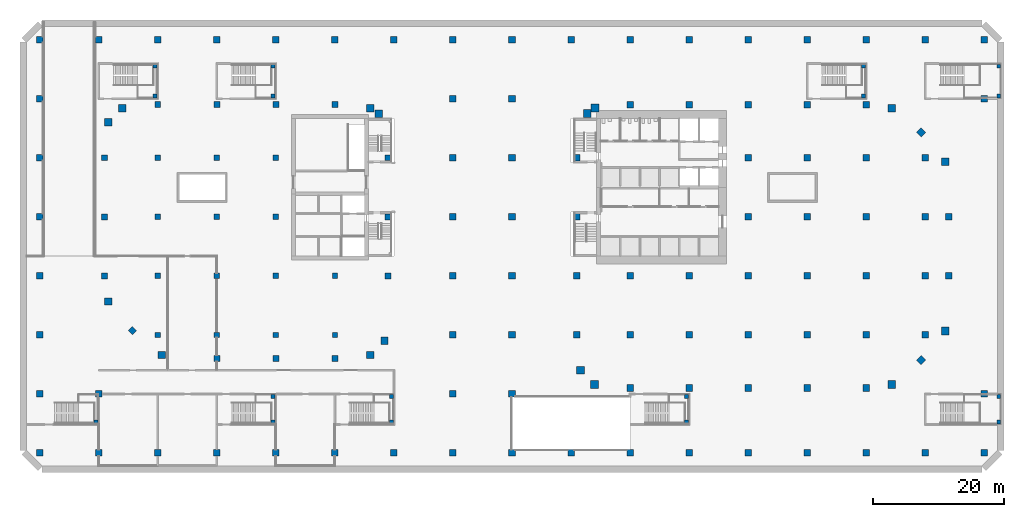
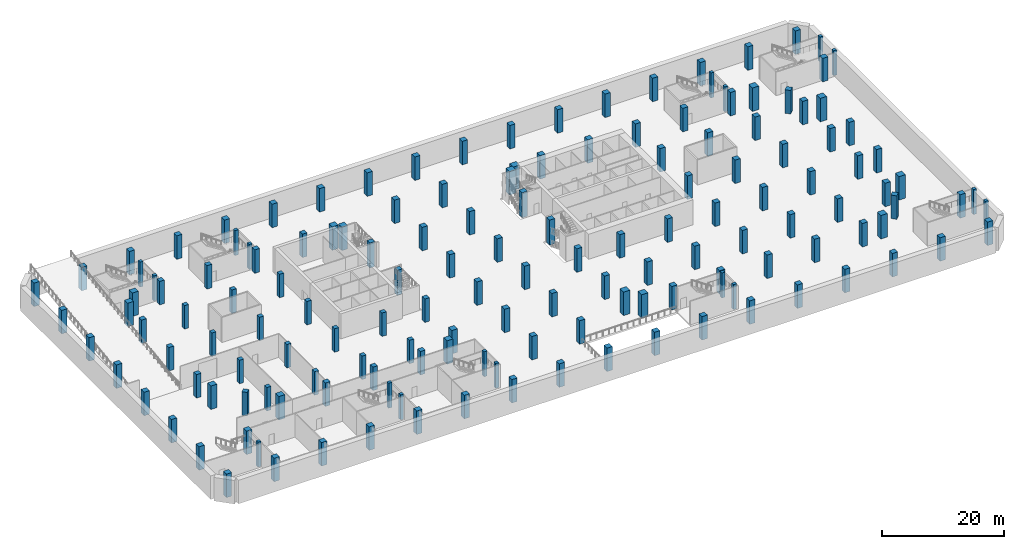
# One storey, part 1 of 19: 154 columns.
"""IFC4 building model written with IfcOpenShell, lengths in metres."""

from ifc_helpers import new_model, si_unit, direction, frame, origin, origin_2d, place, context, subcontext, project, spatial, rectangle, extrude, material, material_profile, profile_set, type_object, element, save


model = new_model("IFC4")

# Units and contexts
model_context = context("Model", 3, precision=1e-05, world=origin(), true_north=direction((0.0, 1.0)))
body_context = subcontext(model_context, "Body", "Model", "MODEL_VIEW")
ifc_project = project(units=[si_unit("LENGTHUNIT", "METRE"), si_unit("AREAUNIT", "SQUARE_METRE"), si_unit("VOLUMEUNIT", "CUBIC_METRE"), si_unit("PLANEANGLEUNIT", "RADIAN"), si_unit("MASSUNIT", "GRAM", prefix="KILO")], contexts=[model_context])

# Site, building, storey
site_placement = place(None, origin())
site = spatial("IfcSite", under=ifc_project, at=site_placement, CompositionType="ELEMENT")
building_placement = place(site_placement, origin())
building = spatial("IfcBuilding", under=site, at=building_placement, Name="Cinnabar Reach Civic Tower", CompositionType="ELEMENT")
storey_placement = place(building_placement, frame((0.0, 0.0, -5.0)))
storey = spatial("IfcBuildingStorey", under=building, at=storey_placement, Name="B1", CompositionType="ELEMENT", Elevation=-5.0)

# Columns
ifc_material_1 = material(Name="Concrete C70", Category="concrete")
ifc_material_profile_1 = material_profile(ifc_material_1, rectangle(XDim=1.0, YDim=1.0, at=origin_2d()), Name="RC1000")
ifc_profile_set_1 = profile_set([ifc_material_profile_1], Name="Concrete C70")
column_type_1 = type_object("IfcColumnType", Name="RC1000 column R 240", PredefinedType="COLUMN", material=ifc_profile_set_1)
for number, where, z_axis, x_axis, name in (
    (1, (9.0, 0.9, 0.0), (0.0, 0.0, 1.0), (1.0, 0.0, 0.0), "Column T1-Z1-F0-1"),
    (2, (18.0, 0.9, 0.0), (0.0, 0.0, 1.0), (1.0, 0.0, 0.0), "Column T1-Z1-F0-2"),
    (3, (27.0, 0.9, 0.0), (0.0, 0.0, 1.0), (1.0, 0.0, 0.0), "Column T1-Z1-F0-3"),
    (4, (36.0, 0.9, 0.0), (0.0, 0.0, 1.0), (1.0, 0.0, 0.0), "Column T1-Z1-F0-4"),
    (5, (45.0, 0.9, 0.0), (0.0, 0.0, 1.0), (1.0, 0.0, 0.0), "Column T1-Z1-F0-5"),
    (6, (53.3636, 5.1364, 0.0), (0.0, 0.0, 1.0), (0.707106781187, 0.707106781187, 0.0), "Column T1-Z1-F1-M"),
    (7, (57.6, 18.0, 0.0), (0.0, 0.0, 1.0), (1.0, 0.0, 0.0), "Column T1-Z1-F2-2"),
    (8, (57.6, 27.0, 0.0), (0.0, 0.0, 1.0), (1.0, 0.0, 0.0), "Column T1-Z1-F2-3"),
    (9, (53.3636, 39.8636, 0.0), (0.0, 0.0, 1.0), (0.707106781187, 0.707106781187, 0.0), "Column T1-Z1-F3-M"),
    (10, (9.0, 44.1, 0.0), (0.0, 0.0, 1.0), (1.0, 0.0, 0.0), "Column T1-Z1-F4-1"),
    (11, (18.0, 44.1, 0.0), (0.0, 0.0, 1.0), (1.0, 0.0, 0.0), "Column T1-Z1-F4-2"),
    (12, (27.0, 44.1, 0.0), (0.0, 0.0, 1.0), (1.0, 0.0, 0.0), "Column T1-Z1-F4-3"),
    (13, (36.0, 44.1, 0.0), (0.0, 0.0, 1.0), (1.0, 0.0, 0.0), "Column T1-Z1-F4-4"),
    (14, (45.0, 44.1, 0.0), (0.0, 0.0, 1.0), (1.0, 0.0, 0.0), "Column T1-Z1-F4-5"),
    (15, (0.9, 9.0, 0.0), (0.0, 0.0, 1.0), (1.0, 0.0, 0.0), "Column T1-Z1-F6-1"),
    (16, (0.9, 18.0, 0.0), (0.0, 0.0, 1.0), (1.0, 0.0, 0.0), "Column T1-Z1-F6-2"),
):
    element("IfcColumn", number, at=place(storey_placement, frame(where, z_axis=z_axis, x_axis=x_axis)), inside=storey, type_object=column_type_1, Name=name, PredefinedType="COLUMN", context=body_context, shape_type="SweptSolid", body=[
        extrude(rectangle(XDim=1.0, YDim=1.0, at=origin_2d()), origin(), (0.0, 0.0, 1.0), 4.7),
    ])
for number, where, z_axis, x_axis, name in (
    (17, (0.9, 27.0, 0.0), (0.0, 0.0, 1.0), (1.0, 0.0, 0.0), "Column T1-Z1-F6-3"),
    (18, (0.9, 36.0, 0.0), (0.0, 0.0, 1.0), (1.0, 0.0, 0.0), "Column T1-Z1-F6-4"),
):
    element("IfcColumn", number, at=place(storey_placement, frame(where, z_axis=z_axis, x_axis=x_axis)), inside=storey, type_object=column_type_1, Name=name, PredefinedType="COLUMN", context=body_context, shape_type="SweptSolid", body=[
        extrude(rectangle(XDim=1.0, YDim=1.0, at=origin_2d()), origin(), (0.0, 0.0, 1.0), 5.0),
    ])
for number, where, z_axis, x_axis, name in (
    (19, (9.0, 9.0, 0.0), (0.0, 0.0, 1.0), (1.0, 0.0, 0.0), "Column T1-Z1-I9_9"),
    (20, (9.0, 18.0, 0.0), (0.0, 0.0, 1.0), (1.0, 0.0, 0.0), "Column T1-Z1-I9_18"),
    (21, (18.0, 9.0, 0.0), (0.0, 0.0, 1.0), (1.0, 0.0, 0.0), "Column T1-Z1-I18_9"),
    (22, (18.0, 18.0, 0.0), (0.0, 0.0, 1.0), (1.0, 0.0, 0.0), "Column T1-Z1-I18_18"),
    (23, (27.0, 9.0, 0.0), (0.0, 0.0, 1.0), (1.0, 0.0, 0.0), "Column T1-Z1-I27_9"),
    (24, (27.0, 18.0, 0.0), (0.0, 0.0, 1.0), (1.0, 0.0, 0.0), "Column T1-Z1-I27_18"),
    (25, (27.0, 27.0, 0.0), (0.0, 0.0, 1.0), (1.0, 0.0, 0.0), "Column T1-Z1-I27_27"),
    (26, (27.0, 36.0, 0.0), (0.0, 0.0, 1.0), (1.0, 0.0, 0.0), "Column T1-Z1-I27_36"),
    (27, (36.0, 9.0, 0.0), (0.0, 0.0, 1.0), (1.0, 0.0, 0.0), "Column T1-Z1-I36_9"),
    (28, (36.0, 18.0, 0.0), (0.0, 0.0, 1.0), (1.0, 0.0, 0.0), "Column T1-Z1-I36_18"),
    (29, (36.0, 27.0, 0.0), (0.0, 0.0, 1.0), (1.0, 0.0, 0.0), "Column T1-Z1-I36_27"),
    (30, (36.0, 36.0, 0.0), (0.0, 0.0, 1.0), (1.0, 0.0, 0.0), "Column T1-Z1-I36_36"),
    (31, (45.0, 9.0, 0.0), (0.0, 0.0, 1.0), (1.0, 0.0, 0.0), "Column T1-Z1-I45_9"),
    (32, (45.0, 18.0, 0.0), (0.0, 0.0, 1.0), (1.0, 0.0, 0.0), "Column T1-Z1-I45_18"),
    (33, (45.0, 27.0, 0.0), (0.0, 0.0, 1.0), (1.0, 0.0, 0.0), "Column T1-Z1-I45_27"),
    (34, (45.0, 36.0, 0.0), (0.0, 0.0, 1.0), (1.0, 0.0, 0.0), "Column T1-Z1-I45_36"),
    (35, (54.0, 9.0, 0.0), (0.0, 0.0, 1.0), (1.0, 0.0, 0.0), "Column T1-Z1-I54_9"),
    (36, (54.0, 18.0, 0.0), (0.0, 0.0, 1.0), (1.0, 0.0, 0.0), "Column T1-Z1-I54_18"),
    (37, (54.0, 27.0, 0.0), (0.0, 0.0, 1.0), (1.0, 0.0, 0.0), "Column T1-Z1-I54_27"),
    (38, (54.0, 36.0, 0.0), (0.0, 0.0, 1.0), (1.0, 0.0, 0.0), "Column T1-Z1-I54_36"),
    (39, (-81.0, -9.0, 0.0), (0.0, 0.0, 1.0), (1.0, 0.0, 0.0), "Column -81/-9 B1"),
    (40, (-81.0, 0.0, 0.0), (0.0, 0.0, 1.0), (1.0, 0.0, 0.0), "Column -81/0 B1"),
    (41, (-81.0, 9.0, 0.0), (0.0, 0.0, 1.0), (1.0, 0.0, 0.0), "Column -81/9 B1"),
    (42, (-81.0, 18.0, 0.0), (0.0, 0.0, 1.0), (1.0, 0.0, 0.0), "Column -81/18 B1"),
    (43, (-81.0, 27.0, 0.0), (0.0, 0.0, 1.0), (1.0, 0.0, 0.0), "Column -81/27 B1"),
    (44, (-81.0, 36.0, 0.0), (0.0, 0.0, 1.0), (1.0, 0.0, 0.0), "Column -81/36 B1"),
    (45, (-81.0, 45.0, 0.0), (0.0, 0.0, 1.0), (1.0, 0.0, 0.0), "Column -81/45 B1"),
    (46, (-81.0, 54.0, 0.0), (0.0, 0.0, 1.0), (1.0, 0.0, 0.0), "Column -81/54 B1"),
    (47, (-72.0, -9.0, 0.0), (0.0, 0.0, 1.0), (1.0, 0.0, 0.0), "Column -72/-9 B1"),
    (48, (-72.0, 0.0, 0.0), (0.0, 0.0, 1.0), (1.0, 0.0, 0.0), "Column -72/0 B1"),
    (49, (-72.0, 54.0, 0.0), (0.0, 0.0, 1.0), (1.0, 0.0, 0.0), "Column -72/54 B1"),
    (50, (-63.0, -9.0, 0.0), (0.0, 0.0, 1.0), (1.0, 0.0, 0.0), "Column -63/-9 B1"),
    (51, (-63.0, 54.0, 0.0), (0.0, 0.0, 1.0), (1.0, 0.0, 0.0), "Column -63/54 B1"),
    (52, (-54.0, -9.0, 0.0), (0.0, 0.0, 1.0), (1.0, 0.0, 0.0), "Column -54/-9 B1"),
    (53, (-54.0, 54.0, 0.0), (0.0, 0.0, 1.0), (1.0, 0.0, 0.0), "Column -54/54 B1"),
    (54, (-45.0, -9.0, 0.0), (0.0, 0.0, 1.0), (1.0, 0.0, 0.0), "Column -45/-9 B1"),
    (55, (-45.0, 54.0, 0.0), (0.0, 0.0, 1.0), (1.0, 0.0, 0.0), "Column -45/54 B1"),
    (56, (-36.0, -9.0, 0.0), (0.0, 0.0, 1.0), (1.0, 0.0, 0.0), "Column -36/-9 B1"),
    (57, (-36.0, 54.0, 0.0), (0.0, 0.0, 1.0), (1.0, 0.0, 0.0), "Column -36/54 B1"),
    (58, (-27.0, -9.0, 0.0), (0.0, 0.0, 1.0), (1.0, 0.0, 0.0), "Column -27/-9 B1"),
    (59, (-27.0, 54.0, 0.0), (0.0, 0.0, 1.0), (1.0, 0.0, 0.0), "Column -27/54 B1"),
    (60, (-18.0, -9.0, 0.0), (0.0, 0.0, 1.0), (1.0, 0.0, 0.0), "Column -18/-9 B1"),
    (61, (-18.0, 0.0, 0.0), (0.0, 0.0, 1.0), (1.0, 0.0, 0.0), "Column -18/0 B1"),
    (62, (-18.0, 9.0, 0.0), (0.0, 0.0, 1.0), (1.0, 0.0, 0.0), "Column -18/9 B1"),
    (63, (-18.0, 18.0, 0.0), (0.0, 0.0, 1.0), (1.0, 0.0, 0.0), "Column -18/18 B1"),
    (64, (-18.0, 27.0, 0.0), (0.0, 0.0, 1.0), (1.0, 0.0, 0.0), "Column -18/27 B1"),
    (65, (-18.0, 36.0, 0.0), (0.0, 0.0, 1.0), (1.0, 0.0, 0.0), "Column -18/36 B1"),
    (66, (-18.0, 45.0, 0.0), (0.0, 0.0, 1.0), (1.0, 0.0, 0.0), "Column -18/45 B1"),
    (67, (-18.0, 54.0, 0.0), (0.0, 0.0, 1.0), (1.0, 0.0, 0.0), "Column -18/54 B1"),
    (68, (-9.0, -9.0, 0.0), (0.0, 0.0, 1.0), (1.0, 0.0, 0.0), "Column -9/-9 B1"),
    (69, (-9.0, 0.0, 0.0), (0.0, 0.0, 1.0), (1.0, 0.0, 0.0), "Column -9/0 B1"),
    (70, (-9.0, 9.0, 0.0), (0.0, 0.0, 1.0), (1.0, 0.0, 0.0), "Column -9/9 B1"),
    (71, (-9.0, 18.0, 0.0), (0.0, 0.0, 1.0), (1.0, 0.0, 0.0), "Column -9/18 B1"),
    (72, (-9.0, 27.0, 0.0), (0.0, 0.0, 1.0), (1.0, 0.0, 0.0), "Column -9/27 B1"),
    (73, (-9.0, 36.0, 0.0), (0.0, 0.0, 1.0), (1.0, 0.0, 0.0), "Column -9/36 B1"),
    (74, (-9.0, 45.0, 0.0), (0.0, 0.0, 1.0), (1.0, 0.0, 0.0), "Column -9/45 B1"),
    (75, (-9.0, 54.0, 0.0), (0.0, 0.0, 1.0), (1.0, 0.0, 0.0), "Column -9/54 B1"),
    (76, (0.0, -9.0, 0.0), (0.0, 0.0, 1.0), (1.0, 0.0, 0.0), "Column 0/-9 B1"),
    (77, (0.0, 54.0, 0.0), (0.0, 0.0, 1.0), (1.0, 0.0, 0.0), "Column 0/54 B1"),
    (78, (9.0, -9.0, 0.0), (0.0, 0.0, 1.0), (1.0, 0.0, 0.0), "Column 9/-9 B1"),
    (79, (9.0, 54.0, 0.0), (0.0, 0.0, 1.0), (1.0, 0.0, 0.0), "Column 9/54 B1"),
    (80, (18.0, -9.0, 0.0), (0.0, 0.0, 1.0), (1.0, 0.0, 0.0), "Column 18/-9 B1"),
    (81, (18.0, 54.0, 0.0), (0.0, 0.0, 1.0), (1.0, 0.0, 0.0), "Column 18/54 B1"),
    (82, (27.0, -9.0, 0.0), (0.0, 0.0, 1.0), (1.0, 0.0, 0.0), "Column 27/-9 B1"),
    (83, (27.0, 54.0, 0.0), (0.0, 0.0, 1.0), (1.0, 0.0, 0.0), "Column 27/54 B1"),
    (84, (36.0, -9.0, 0.0), (0.0, 0.0, 1.0), (1.0, 0.0, 0.0), "Column 36/-9 B1"),
    (85, (36.0, 54.0, 0.0), (0.0, 0.0, 1.0), (1.0, 0.0, 0.0), "Column 36/54 B1"),
    (86, (45.0, -9.0, 0.0), (0.0, 0.0, 1.0), (1.0, 0.0, 0.0), "Column 45/-9 B1"),
    (87, (45.0, 54.0, 0.0), (0.0, 0.0, 1.0), (1.0, 0.0, 0.0), "Column 45/54 B1"),
    (88, (54.0, -9.0, 0.0), (0.0, 0.0, 1.0), (1.0, 0.0, 0.0), "Column 54/-9 B1"),
    (89, (54.0, 54.0, 0.0), (0.0, 0.0, 1.0), (1.0, 0.0, 0.0), "Column 54/54 B1"),
    (90, (63.0, -9.0, 0.0), (0.0, 0.0, 1.0), (1.0, 0.0, 0.0), "Column 63/-9 B1"),
    (91, (63.0, 0.0, 0.0), (0.0, 0.0, 1.0), (1.0, 0.0, 0.0), "Column 63/0 B1"),
    (92, (63.0, 45.0, 0.0), (0.0, 0.0, 1.0), (1.0, 0.0, 0.0), "Column 63/45 B1"),
    (93, (63.0, 54.0, 0.0), (0.0, 0.0, 1.0), (1.0, 0.0, 0.0), "Column 63/54 B1"),
):
    element("IfcColumn", number, at=place(storey_placement, frame(where, z_axis=z_axis, x_axis=x_axis)), inside=storey, type_object=column_type_1, Name=name, PredefinedType="COLUMN", context=body_context, shape_type="SweptSolid", body=[
        extrude(rectangle(XDim=1.0, YDim=1.0, at=origin_2d()), origin(), (0.0, 0.0, 1.0), 4.7),
    ])
ifc_material_2 = material(Name="Concrete C80", Category="concrete")
ifc_material_profile_2 = material_profile(ifc_material_2, rectangle(XDim=1.1, YDim=1.1, at=origin_2d()), Name="RC1100")
ifc_profile_set_2 = profile_set([ifc_material_profile_2], Name="Concrete C80")
column_type_2 = type_object("IfcColumnType", Name="RC1100 column R 180", PredefinedType="COLUMN", material=ifc_profile_set_2)
for number, where, z_axis, x_axis, name in (
    (94, (-62.3981, 5.9531, 0.0), (0.0, 0.0, 1.0), (1.0, 0.0, 0.0), "Column T2-Z1-CC0"),
    (95, (-30.6019, 5.9531, 0.0), (0.0, 0.0, 1.0), (1.0, 0.0, 0.0), "Column T2-Z1-CC1"),
    (96, (-28.4531, 8.1019, 0.0), (0.0, 0.0, 1.0), (1.0, 0.0, 0.0), "Column T2-Z1-CC2"),
    (97, (-29.3131, 42.7, 0.0), (0.0, 0.0, 1.0), (1.0, 0.0, 0.0), "Column T2-Z1-CC3"),
    (98, (-30.6019, 43.5469, 0.0), (0.0, 0.0, 1.0), (1.0, 0.0, 0.0), "Column T2-Z1-CC4"),
    (99, (-68.3981, 43.5469, 0.0), (0.0, 0.0, 1.0), (1.0, 0.0, 0.0), "Column T2-Z1-CC5"),
    (100, (-70.5469, 41.3981, 0.0), (0.0, 0.0, 1.0), (1.0, 0.0, 0.0), "Column T2-Z1-CC6"),
    (101, (-70.5469, 14.1019, 0.0), (0.0, 0.0, 1.0), (1.0, 0.0, 0.0), "Column T2-Z1-CC7"),
):
    element("IfcColumn", number, at=place(storey_placement, frame(where, z_axis=z_axis, x_axis=x_axis)), inside=storey, type_object=column_type_2, Name=name, PredefinedType="COLUMN", context=body_context, shape_type="SweptSolid", body=[
        extrude(rectangle(XDim=1.1, YDim=1.1, at=origin_2d()), origin(), (0.0, 0.0, 1.0), 4.7),
    ])
ifc_material_profile_3 = material_profile(ifc_material_2, rectangle(XDim=1.2, YDim=1.2, at=origin_2d()), Name="RC1200")
ifc_profile_set_3 = profile_set([ifc_material_profile_3], Name="Concrete C80")
column_type_3 = type_object("IfcColumnType", Name="RC1200 column R 240", PredefinedType="COLUMN", material=ifc_profile_set_3)
for number, where, z_axis, x_axis, name in (
    (102, (3.6019, 1.4531, 0.0), (0.0, 0.0, 1.0), (1.0, 0.0, 0.0), "Column T1-Z1-CC0"),
    (103, (48.8981, 1.4531, 0.0), (0.0, 0.0, 1.0), (1.0, 0.0, 0.0), "Column T1-Z1-CC1"),
    (104, (57.0469, 9.6019, 0.0), (0.0, 0.0, 1.0), (1.0, 0.0, 0.0), "Column T1-Z1-CC2"),
    (105, (57.0469, 35.3981, 0.0), (0.0, 0.0, 1.0), (1.0, 0.0, 0.0), "Column T1-Z1-CC3"),
    (106, (48.8981, 43.5469, 0.0), (0.0, 0.0, 1.0), (1.0, 0.0, 0.0), "Column T1-Z1-CC4"),
    (107, (3.6666, 43.5737, 0.0), (0.0, 0.0, 1.0), (1.0, 0.0, 0.0), "Column T1-Z1-CC5"),
    (108, (2.4631, 42.75, 0.0), (0.0, 0.0, 1.0), (1.0, 0.0, 0.0), "Column T1-Z1-CC6"),
    (109, (1.4531, 3.6019, 0.0), (0.0, 0.0, 1.0), (1.0, 0.0, 0.0), "Column T1-Z1-CC7"),
):
    element("IfcColumn", number, at=place(storey_placement, frame(where, z_axis=z_axis, x_axis=x_axis)), inside=storey, type_object=column_type_3, Name=name, PredefinedType="COLUMN", context=body_context, shape_type="SweptSolid", body=[
        extrude(rectangle(XDim=1.2, YDim=1.2, at=origin_2d()), origin(), (0.0, 0.0, 1.0), 4.7),
    ])
ifc_material_3 = material(Name="Concrete C60", Category="concrete")
ifc_material_profile_4 = material_profile(ifc_material_3, rectangle(XDim=0.6, YDim=0.6, at=origin_2d()), Name="RC600")
ifc_profile_set_4 = profile_set([ifc_material_profile_4], Name="Concrete C60")
column_type_4 = type_object("IfcColumnType", Name="RC600 landing post R 240", PredefinedType="COLUMN", material=ifc_profile_set_4)
for number, where, z_axis, x_axis, name in (
    (110, (-72.4, -4.25, 0.0), (0.0, 0.0, 1.0), (1.0, 0.0, 0.0), "Landing post PS1 B1 1"),
    (111, (-63.4, 49.95, 0.0), (0.0, 0.0, 1.0), (1.0, 0.0, 0.0), "Landing post PS2 B1 1"),
    (112, (-63.4, 45.4, 0.0), (0.0, 0.0, 1.0), (1.0, 0.0, 0.0), "Landing post PS2 B1 2"),
    (113, (17.6, -4.25, 0.0), (0.0, 0.0, 1.0), (1.0, 0.0, 0.0), "Landing post PS3 B1 1"),
    (114, (17.6, -0.4, 0.0), (0.0, 0.0, 1.0), (1.0, 0.0, 0.0), "Landing post PS3 B1 2"),
    (115, (65.2, -4.25, 0.0), (0.0, 0.0, 1.0), (1.0, 0.0, 0.0), "Landing post PS4 B1 1"),
    (116, (65.2, -0.4, 0.0), (0.0, 0.0, 1.0), (1.0, 0.0, 0.0), "Landing post PS4 B1 2"),
    (117, (65.2, 49.95, 0.0), (0.0, 0.0, 1.0), (1.0, 0.0, 0.0), "Landing post PS5 B1 1"),
    (118, (65.2, 45.4, 0.0), (0.0, 0.0, 1.0), (1.0, 0.0, 0.0), "Landing post PS5 B1 2"),
    (119, (44.6, 49.95, 0.0), (0.0, 0.0, 1.0), (1.0, 0.0, 0.0), "Landing post PS6 B1 1"),
    (120, (44.6, 45.4, 0.0), (0.0, 0.0, 1.0), (1.0, 0.0, 0.0), "Landing post PS6 B1 2"),
    (121, (-45.4, 49.95, 0.0), (0.0, 0.0, 1.0), (1.0, 0.0, 0.0), "Landing post PS7 B1 1"),
    (122, (-45.4, 45.4, 0.0), (0.0, 0.0, 1.0), (1.0, 0.0, 0.0), "Landing post PS7 B1 2"),
    (123, (-45.4, -4.25, 0.0), (0.0, 0.0, 1.0), (1.0, 0.0, 0.0), "Landing post PS8 B1 1"),
    (124, (-45.4, -0.4, 0.0), (0.0, 0.0, 1.0), (1.0, 0.0, 0.0), "Landing post PS8 B1 2"),
    (125, (-27.4, -4.25, 0.0), (0.0, 0.0, 1.0), (1.0, 0.0, 0.0), "Landing post PS9 B1 1"),
    (126, (-27.4, -0.4, 0.0), (0.0, 0.0, 1.0), (1.0, 0.0, 0.0), "Landing post PS9 B1 2"),
):
    element("IfcColumn", number, at=place(storey_placement, frame(where, z_axis=z_axis, x_axis=x_axis)), inside=storey, type_object=column_type_4, Name=name, PredefinedType="COLUMN", context=body_context, shape_type="SweptSolid", body=[
        extrude(rectangle(XDim=0.6, YDim=0.6, at=origin_2d()), origin(), (0.0, 0.0, 1.0), 5.0),
    ])
ifc_material_profile_5 = material_profile(ifc_material_3, rectangle(XDim=0.8, YDim=0.8, at=origin_2d()), Name="RC800")
ifc_profile_set_5 = profile_set([ifc_material_profile_5], Name="Concrete C60")
column_type_5 = type_object("IfcColumnType", Name="RC800 column R 180", PredefinedType="COLUMN", material=ifc_profile_set_5)
for number, where, z_axis, x_axis, name in (
    (127, (-63.0, 9.0, 0.0), (0.0, 0.0, 1.0), (1.0, 0.0, 0.0), "Column T2-Z1-I-63_9"),
    (128, (-63.0, 18.0, 0.0), (0.0, 0.0, 1.0), (1.0, 0.0, 0.0), "Column T2-Z1-I-63_18"),
    (129, (-63.0, 27.0, 0.0), (0.0, 0.0, 1.0), (1.0, 0.0, 0.0), "Column T2-Z1-I-63_27"),
    (130, (-63.0, 36.0, 0.0), (0.0, 0.0, 1.0), (1.0, 0.0, 0.0), "Column T2-Z1-I-63_36"),
    (131, (-54.0, 9.0, 0.0), (0.0, 0.0, 1.0), (1.0, 0.0, 0.0), "Column T2-Z1-I-54_9"),
    (132, (-54.0, 18.0, 0.0), (0.0, 0.0, 1.0), (1.0, 0.0, 0.0), "Column T2-Z1-I-54_18"),
    (133, (-54.0, 27.0, 0.0), (0.0, 0.0, 1.0), (1.0, 0.0, 0.0), "Column T2-Z1-I-54_27"),
    (134, (-54.0, 36.0, 0.0), (0.0, 0.0, 1.0), (1.0, 0.0, 0.0), "Column T2-Z1-I-54_36"),
    (135, (-45.0, 9.0, 0.0), (0.0, 0.0, 1.0), (1.0, 0.0, 0.0), "Column T2-Z1-I-45_9"),
    (136, (-45.0, 18.0, 0.0), (0.0, 0.0, 1.0), (1.0, 0.0, 0.0), "Column T2-Z1-I-45_18"),
    (137, (-45.0, 27.0, 0.0), (0.0, 0.0, 1.0), (1.0, 0.0, 0.0), "Column T2-Z1-I-45_27"),
    (138, (-45.0, 36.0, 0.0), (0.0, 0.0, 1.0), (1.0, 0.0, 0.0), "Column T2-Z1-I-45_36"),
    (139, (-36.0, 9.0, 0.0), (0.0, 0.0, 1.0), (1.0, 0.0, 0.0), "Column T2-Z1-I-36_9"),
    (140, (-36.0, 18.0, 0.0), (0.0, 0.0, 1.0), (1.0, 0.0, 0.0), "Column T2-Z1-I-36_18"),
):
    element("IfcColumn", number, at=place(storey_placement, frame(where, z_axis=z_axis, x_axis=x_axis)), inside=storey, type_object=column_type_5, Name=name, PredefinedType="COLUMN", context=body_context, shape_type="SweptSolid", body=[
        extrude(rectangle(XDim=0.8, YDim=0.8, at=origin_2d()), origin(), (0.0, 0.0, 1.0), 4.7),
    ])
ifc_material_profile_6 = material_profile(ifc_material_1, rectangle(XDim=0.9, YDim=0.9, at=origin_2d()), Name="RC900")
ifc_profile_set_6 = profile_set([ifc_material_profile_6], Name="Concrete C70")
column_type_6 = type_object("IfcColumnType", Name="RC900 column R 180", PredefinedType="COLUMN", material=ifc_profile_set_6)
for number, where, z_axis, x_axis, name in (
    (141, (-54.0, 5.4, 0.0), (0.0, 0.0, 1.0), (1.0, 0.0, 0.0), "Column T2-Z1-F0--6"),
    (142, (-45.0, 5.4, 0.0), (0.0, 0.0, 1.0), (1.0, 0.0, 0.0), "Column T2-Z1-F0--5"),
    (143, (-36.0, 5.4, 0.0), (0.0, 0.0, 1.0), (1.0, 0.0, 0.0), "Column T2-Z1-F0--4"),
    (144, (-27.9, 18.0, 0.0), (0.0, 0.0, 1.0), (1.0, 0.0, 0.0), "Column T2-Z1-F2-2"),
):
    element("IfcColumn", number, at=place(storey_placement, frame(where, z_axis=z_axis, x_axis=x_axis)), inside=storey, type_object=column_type_6, Name=name, PredefinedType="COLUMN", context=body_context, shape_type="SweptSolid", body=[
        extrude(rectangle(XDim=0.9, YDim=0.9, at=origin_2d()), origin(), (0.0, 0.0, 1.0), 4.7),
    ])
for number, where, z_axis, x_axis, name in (
    (145, (-27.9, 27.0, 0.0), (0.0, 0.0, 1.0), (1.0, 0.0, 0.0), "Column T2-Z1-F2-3"),
    (146, (-27.9, 36.0, 0.0), (0.0, 0.0, 1.0), (1.0, 0.0, 0.0), "Column T2-Z1-F2-4"),
):
    element("IfcColumn", number, at=place(storey_placement, frame(where, z_axis=z_axis, x_axis=x_axis)), inside=storey, type_object=column_type_6, Name=name, PredefinedType="COLUMN", context=body_context, shape_type="SweptSolid", body=[
        extrude(rectangle(XDim=0.9, YDim=0.9, at=origin_2d()), origin(), (0.0, 0.0, 1.0), 5.0),
    ])
for number, where, z_axis, x_axis, name in (
    (147, (-63.0, 44.1, 0.0), (0.0, 0.0, 1.0), (1.0, 0.0, 0.0), "Column T2-Z1-F4--7"),
    (148, (-54.0, 44.1, 0.0), (0.0, 0.0, 1.0), (1.0, 0.0, 0.0), "Column T2-Z1-F4--6"),
    (149, (-45.0, 44.1, 0.0), (0.0, 0.0, 1.0), (1.0, 0.0, 0.0), "Column T2-Z1-F4--5"),
    (150, (-36.0, 44.1, 0.0), (0.0, 0.0, 1.0), (1.0, 0.0, 0.0), "Column T2-Z1-F4--4"),
    (151, (-71.1, 18.0, 0.0), (0.0, 0.0, 1.0), (1.0, 0.0, 0.0), "Column T2-Z1-F6-2"),
    (152, (-71.1, 27.0, 0.0), (0.0, 0.0, 1.0), (1.0, 0.0, 0.0), "Column T2-Z1-F6-3"),
    (153, (-71.1, 36.0, 0.0), (0.0, 0.0, 1.0), (1.0, 0.0, 0.0), "Column T2-Z1-F6-4"),
    (154, (-66.8636, 9.6364, 0.0), (0.0, 0.0, 1.0), (0.707106781187, 0.707106781187, 0.0), "Column T2-Z1-F7-M"),
):
    element("IfcColumn", number, at=place(storey_placement, frame(where, z_axis=z_axis, x_axis=x_axis)), inside=storey, type_object=column_type_6, Name=name, PredefinedType="COLUMN", context=body_context, shape_type="SweptSolid", body=[
        extrude(rectangle(XDim=0.9, YDim=0.9, at=origin_2d()), origin(), (0.0, 0.0, 1.0), 4.7),
    ])

save(model, "model.ifc")
